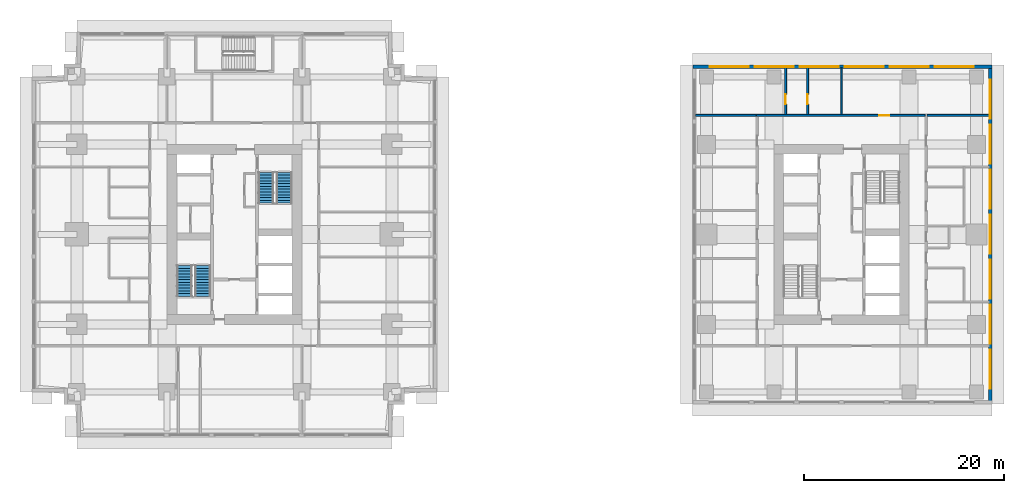
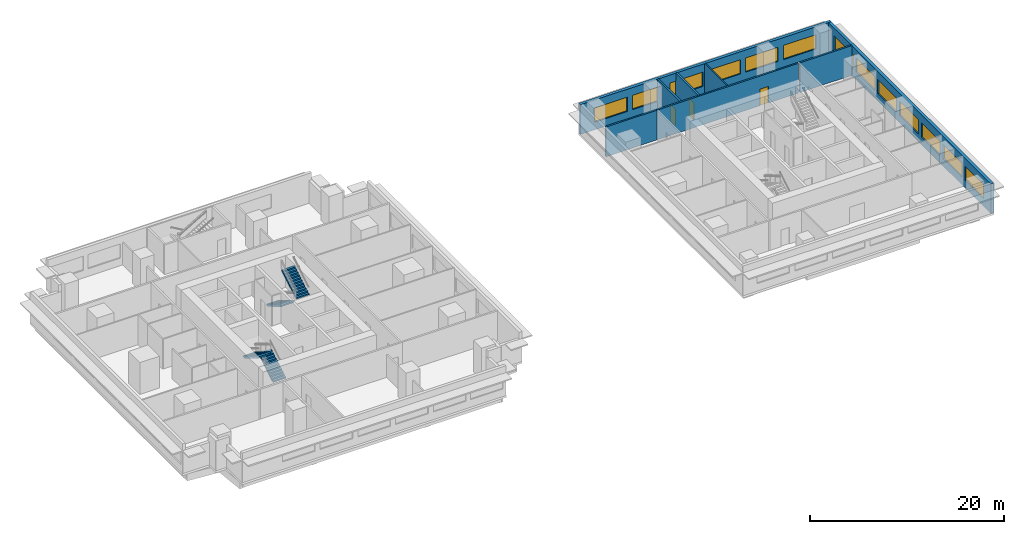
# One storey, part 8 of 11: 13 windows, 8 walls, 4 stair flights, 3 doors, 16 openings, 2 elements without a shape of their own.
"""IFC4 building model written with IfcOpenShell, lengths in metres."""

from ifc_helpers import new_model, si_unit, direction, frame, frame_2d, origin, place, context, subcontext, project, spatial, polyline, rectangle, outline, extrude, material, layer, layer_set, type_object, element, fill, aggregate, save


model = new_model("IFC4")

# Units and contexts
model_context = context("Model", 3, precision=1e-05, world=origin(), true_north=direction((0.0, 1.0)))
body_context = subcontext(model_context, "Body", "Model", "MODEL_VIEW")
ifc_project = project(units=[si_unit("LENGTHUNIT", "METRE"), si_unit("AREAUNIT", "SQUARE_METRE"), si_unit("VOLUMEUNIT", "CUBIC_METRE"), si_unit("PLANEANGLEUNIT", "RADIAN"), si_unit("MASSUNIT", "GRAM", prefix="KILO")], contexts=[model_context])

# Site, building, storey
site_placement = place(None, origin())
site = spatial("IfcSite", under=ifc_project, at=site_placement, CompositionType="ELEMENT")
building_placement = place(site_placement, origin())
building = spatial("IfcBuilding", under=site, at=building_placement, Name="Namib Vertical Campus", CompositionType="ELEMENT")
storey_placement = place(building_placement, frame((0.0, 0.0, 181.0)))
storey = spatial("IfcBuildingStorey", under=building, at=storey_placement, Name="L42", CompositionType="ELEMENT", Elevation=181.0)

# Wall, opening, door
ifc_material_1 = material(Name="Concrete masonry", Category="masonry")
ifc_layer_1 = layer(ifc_material_1, 0.199951171875)
ifc_layer_set_1 = layer_set([ifc_layer_1], Name="Corridor wall 200")
wall_type_1 = type_object("IfcWallType", Name="Corridor wall 200", PredefinedType="SOLIDWALL", material=ifc_layer_set_1)
wall_1_placement = place(storey_placement, frame((89.35009765625, 32.14990234375, 0.0), z_axis=(0.0, 0.0, 1.0), x_axis=(-1.0, 0.0, 0.0)))
wall_1 = element("IfcWall", 1, at=wall_1_placement, inside=storey, type_object=wall_type_1, Name="Corridor wall B L42 CN", PredefinedType="SOLIDWALL", context=body_context, shape_type="SweptSolid", body=[
    extrude(rectangle(XDim=16.900146484375, YDim=0.199951171875, at=frame_2d((8.4501953125, 0.0))), origin(), (0.0, 0.0, 1.0), 3.75),
])
opening_1_placement = place(wall_1_placement, frame((3.574951171875, 0.0, 0.0)))
opening_1 = element("IfcOpeningElement", 2, at=opening_1_placement, cuts=wall_1, Name="Opening CD1", PredefinedType="OPENING", context=body_context, shape_type="SweptSolid", body=[
    extrude(rectangle(XDim=1.0, YDim=2.10009765625, at=frame_2d((0.5, 1.050048828125))), frame((0.0, 0.10986328125, 0.0), z_axis=(0.0, -1.0, 0.0), x_axis=(1.0, 0.0, 0.0)), (0.0, 0.0, 1.0), 0.219970703125),
])
ifc_material_2 = material(Name="Timber fire door leaf", Category="wood")
door_type = type_object("IfcDoorType", Name="Corridor door 1000x2100 20 min", OperationType="SINGLE_SWING_LEFT", PredefinedType="DOOR", material=ifc_material_2)
door_1_placement = place(opening_1_placement, frame((1.0, 0.0, 0.0), z_axis=(0.0, 0.0, 1.0), x_axis=(-1.0, 0.0, 0.0)))
door_1 = element("IfcDoor", 3, at=door_1_placement, inside=storey, type_object=door_type, Name="Door CD1 B42-12", OperationType="SINGLE_SWING_LEFT", OverallHeight=2.10009765625, OverallWidth=1.0, PredefinedType="DOOR", context=body_context, shape_type="SweptSolid", body=[
    extrude(rectangle(XDim=1.0, YDim=2.10009765625, at=frame_2d((0.5, 1.050048828125))), frame((0.0, 0.02490234375, 0.0), z_axis=(0.0, -1.0, 0.0), x_axis=(1.0, 0.0, 0.0)), (0.0, 0.0, 1.0), 0.050048828125),
])
fill(opening_1, door_1)

wall_2_placement = place(storey_placement, frame((75.39990234375, 32.25, 0.0), z_axis=(0.0, 0.0, 1.0), x_axis=(0.0, 1.0, 0.0)))
wall_2 = element("IfcWall", 4, at=wall_2_placement, inside=storey, type_object=wall_type_1, Name="Corridor wall B L42 SPN1", PredefinedType="SOLIDWALL", context=body_context, shape_type="SweptSolid", body=[
    extrude(rectangle(XDim=4.64990234375, YDim=0.199951171875, at=frame_2d((2.324951171875, 0.0))), origin(), (0.0, 0.0, 1.0), 3.75),
])
opening_2_placement = place(wall_2_placement, frame((1.0, 0.0, 0.0)))
opening_2 = element("IfcOpeningElement", 5, at=opening_2_placement, cuts=wall_2, Name="Opening CD1", PredefinedType="OPENING", context=body_context, shape_type="SweptSolid", body=[
    extrude(rectangle(XDim=1.0, YDim=2.10009765625, at=frame_2d((0.5, 1.050048828125))), frame((0.0, 0.10986328125, 0.0), z_axis=(0.0, -1.0, 0.0), x_axis=(1.0, 0.0, 0.0)), (0.0, 0.0, 1.0), 0.219970703125),
])
door_2_placement = place(opening_2_placement, origin())
door_2 = element("IfcDoor", 6, at=door_2_placement, inside=storey, type_object=door_type, Name="Door CD1 B42-10", OperationType="SINGLE_SWING_LEFT", OverallHeight=2.10009765625, OverallWidth=1.0, PredefinedType="DOOR", context=body_context, shape_type="SweptSolid", body=[
    extrude(rectangle(XDim=1.0, YDim=2.10009765625, at=frame_2d((0.5, 1.050048828125))), frame((0.0, 0.02490234375, 0.0), z_axis=(0.0, -1.0, 0.0), x_axis=(1.0, 0.0, 0.0)), (0.0, 0.0, 1.0), 0.050048828125),
])
fill(opening_2, door_2)

wall_3_placement = place(storey_placement, frame((77.60009765625, 36.89990234375, 0.0), z_axis=(0.0, 0.0, 1.0), x_axis=(0.0, -1.0, 0.0)))
wall_3 = element("IfcWall", 7, at=wall_3_placement, inside=storey, type_object=wall_type_1, Name="Corridor wall B L42 SPN2", PredefinedType="SOLIDWALL", context=body_context, shape_type="SweptSolid", body=[
    extrude(rectangle(XDim=4.64990234375, YDim=0.199951171875, at=frame_2d((2.324951171875, 0.0))), origin(), (0.0, 0.0, 1.0), 3.75),
])
opening_3_placement = place(wall_3_placement, frame((2.64990234375, 0.0, 0.0)))
opening_3 = element("IfcOpeningElement", 8, at=opening_3_placement, cuts=wall_3, Name="Opening CD1", PredefinedType="OPENING", context=body_context, shape_type="SweptSolid", body=[
    extrude(rectangle(XDim=1.0, YDim=2.10009765625, at=frame_2d((0.5, 1.050048828125))), frame((0.0, 0.10986328125, 0.0), z_axis=(0.0, -1.0, 0.0), x_axis=(1.0, 0.0, 0.0)), (0.0, 0.0, 1.0), 0.219970703125),
])
door_3_placement = place(opening_3_placement, origin())
door_3 = element("IfcDoor", 9, at=door_3_placement, inside=storey, type_object=door_type, Name="Door CD1 B42-11", OperationType="SINGLE_SWING_RIGHT", OverallHeight=2.10009765625, OverallWidth=1.0, PredefinedType="DOOR", context=body_context, shape_type="SweptSolid", body=[
    extrude(rectangle(XDim=1.0, YDim=2.10009765625, at=frame_2d((0.5, 1.050048828125))), frame((0.0, 0.02490234375, 0.0), z_axis=(0.0, -1.0, 0.0), x_axis=(1.0, 0.0, 0.0)), (0.0, 0.0, 1.0), 0.050048828125),
])
fill(opening_3, door_3)

# Walls
wall_4_placement = place(storey_placement, frame((66.39990234375, 32.14990234375, 0.0), z_axis=(0.0, 0.0, 1.0), x_axis=(1.0, 0.0, 0.0)))
element("IfcWall", 10, at=wall_4_placement, inside=storey, type_object=wall_type_1, Name="Partition B L42 BNW", PredefinedType="SOLIDWALL", context=body_context, shape_type="SweptSolid", body=[
    extrude(rectangle(XDim=6.050048828125, YDim=0.199951171875, at=frame_2d((3.02490234375, 0.0))), origin(), (0.0, 0.0, 1.0), 3.75),
])
wall_5_placement = place(storey_placement, frame((89.550048828125, 32.14990234375, 0.0), z_axis=(0.0, 0.0, 1.0), x_axis=(1.0, 0.0, 0.0)))
element("IfcWall", 11, at=wall_5_placement, inside=storey, type_object=wall_type_1, Name="Partition B L42 BNE", PredefinedType="SOLIDWALL", context=body_context, shape_type="SweptSolid", body=[
    extrude(rectangle(XDim=6.199951171875, YDim=0.199951171875, at=frame_2d((3.10009765625, 0.0))), origin(), (0.0, 0.0, 1.0), 3.75),
])

# Wall, openings, windows
ifc_material_3 = material(Name="Concrete C40/50", Category="concrete")
ifc_layer_2 = layer(ifc_material_3, 0.35009765625)
ifc_layer_set_2 = layer_set([ifc_layer_2], Name="Concrete C40/50")
wall_type_2 = type_object("IfcWallType", Name="External wall 350 bush-hammered concrete", PredefinedType="STANDARD", material=ifc_layer_set_2)
wall_6_placement = place(storey_placement, frame((95.875, 3.320068359375, 0.0), z_axis=(0.0, 0.0, 1.0), x_axis=(0.0, 1.0, 0.0)))
wall_6 = element("IfcWall", 12, at=wall_6_placement, inside=storey, type_object=wall_type_2, Name="External wall L42 F02", PredefinedType="STANDARD", context=body_context, shape_type="SweptSolid", body=[
    extrude(rectangle(XDim=33.85986328125, YDim=0.35009765625, at=frame_2d((16.929931640625, 0.0))), origin(), (0.0, 0.0, 1.0), 3.75),
])
opening_4_placement = place(wall_6_placement, frame((1.47998046875, 0.0, 0.949951171875)))
opening_4 = element("IfcOpeningElement", 13, at=opening_4_placement, cuts=wall_6, Name="Opening W3", PredefinedType="OPENING", context=body_context, shape_type="SweptSolid", body=[
    extrude(rectangle(XDim=3.89990234375, YDim=1.800048828125, at=frame_2d((1.949951171875, 0.89990234375))), frame((0.0, 0.18505859375, 0.0), z_axis=(0.0, -1.0, 0.0), x_axis=(1.0, 0.0, 0.0)), (0.0, 0.0, 1.0), 0.3701171875),
])
opening_5_placement = place(wall_6_placement, frame((5.97998046875, 0.0, 0.949951171875)))
opening_5 = element("IfcOpeningElement", 14, at=opening_5_placement, cuts=wall_6, Name="Opening W3", PredefinedType="OPENING", context=body_context, shape_type="SweptSolid", body=[
    extrude(rectangle(XDim=3.89990234375, YDim=1.800048828125, at=frame_2d((1.949951171875, 0.89990234375))), frame((0.0, 0.18505859375, 0.0), z_axis=(0.0, -1.0, 0.0), x_axis=(1.0, 0.0, 0.0)), (0.0, 0.0, 1.0), 0.3701171875),
])
opening_6_placement = place(wall_6_placement, frame((10.47998046875, 0.0, 0.949951171875)))
opening_6 = element("IfcOpeningElement", 15, at=opening_6_placement, cuts=wall_6, Name="Opening W3", PredefinedType="OPENING", context=body_context, shape_type="SweptSolid", body=[
    extrude(rectangle(XDim=3.89990234375, YDim=1.800048828125, at=frame_2d((1.949951171875, 0.89990234375))), frame((0.0, 0.18505859375, 0.0), z_axis=(0.0, -1.0, 0.0), x_axis=(1.0, 0.0, 0.0)), (0.0, 0.0, 1.0), 0.3701171875),
])
opening_7_placement = place(wall_6_placement, frame((14.97998046875, 0.0, 0.949951171875)))
opening_7 = element("IfcOpeningElement", 16, at=opening_7_placement, cuts=wall_6, Name="Opening W3", PredefinedType="OPENING", context=body_context, shape_type="SweptSolid", body=[
    extrude(rectangle(XDim=3.89990234375, YDim=1.800048828125, at=frame_2d((1.949951171875, 0.89990234375))), frame((0.0, 0.18505859375, 0.0), z_axis=(0.0, -1.0, 0.0), x_axis=(1.0, 0.0, 0.0)), (0.0, 0.0, 1.0), 0.3701171875),
])
opening_8_placement = place(wall_6_placement, frame((19.47998046875, 0.0, 0.949951171875)))
opening_8 = element("IfcOpeningElement", 17, at=opening_8_placement, cuts=wall_6, Name="Opening W3", PredefinedType="OPENING", context=body_context, shape_type="SweptSolid", body=[
    extrude(rectangle(XDim=3.89990234375, YDim=1.800048828125, at=frame_2d((1.949951171875, 0.89990234375))), frame((0.0, 0.18505859375, 0.0), z_axis=(0.0, -1.0, 0.0), x_axis=(1.0, 0.0, 0.0)), (0.0, 0.0, 1.0), 0.3701171875),
])
opening_9_placement = place(wall_6_placement, frame((23.97998046875, 0.0, 0.949951171875)))
opening_9 = element("IfcOpeningElement", 18, at=opening_9_placement, cuts=wall_6, Name="Opening W3", PredefinedType="OPENING", context=body_context, shape_type="SweptSolid", body=[
    extrude(rectangle(XDim=3.89990234375, YDim=1.800048828125, at=frame_2d((1.949951171875, 0.89990234375))), frame((0.0, 0.18505859375, 0.0), z_axis=(0.0, -1.0, 0.0), x_axis=(1.0, 0.0, 0.0)), (0.0, 0.0, 1.0), 0.3701171875),
])
opening_10_placement = place(wall_6_placement, frame((28.47998046875, 0.0, 0.949951171875)))
opening_10 = element("IfcOpeningElement", 19, at=opening_10_placement, cuts=wall_6, Name="Opening W3", PredefinedType="OPENING", context=body_context, shape_type="SweptSolid", body=[
    extrude(rectangle(XDim=3.89990234375, YDim=1.800048828125, at=frame_2d((1.949951171875, 0.89990234375))), frame((0.0, 0.18505859375, 0.0), z_axis=(0.0, -1.0, 0.0), x_axis=(1.0, 0.0, 0.0)), (0.0, 0.0, 1.0), 0.3701171875),
])
ifc_material_4 = material(Name="Dark tinted glass in black aluminium frame", Category="aluminium")
window_type = type_object("IfcWindowType", Name="Ribbon window 3900x1800", PartitioningType="SINGLE_PANEL", PredefinedType="WINDOW", material=ifc_material_4)
window_1_placement = place(opening_4_placement, origin())
window_1 = element("IfcWindow", 20, at=window_1_placement, inside=storey, type_object=window_type, Name="Window W3 L42 F02-1", OverallHeight=1.800048828125, OverallWidth=3.89990234375, PartitioningType="SINGLE_PANEL", PredefinedType="WINDOW", context=body_context, shape_type="SweptSolid", body=[
    extrude(rectangle(XDim=3.89990234375, YDim=1.800048828125, at=frame_2d((1.949951171875, 0.89990234375))), frame((0.0, 0.030029296875, 0.0), z_axis=(0.0, -1.0, 0.0), x_axis=(1.0, 0.0, 0.0)), (0.0, 0.0, 1.0), 0.06005859375),
])
fill(opening_4, window_1)
window_2_placement = place(opening_5_placement, origin())
window_2 = element("IfcWindow", 21, at=window_2_placement, inside=storey, type_object=window_type, Name="Window W3 L42 F02-2", OverallHeight=1.800048828125, OverallWidth=3.89990234375, PartitioningType="SINGLE_PANEL", PredefinedType="WINDOW", context=body_context, shape_type="SweptSolid", body=[
    extrude(rectangle(XDim=3.89990234375, YDim=1.800048828125, at=frame_2d((1.949951171875, 0.89990234375))), frame((0.0, 0.030029296875, 0.0), z_axis=(0.0, -1.0, 0.0), x_axis=(1.0, 0.0, 0.0)), (0.0, 0.0, 1.0), 0.06005859375),
])
fill(opening_5, window_2)
window_3_placement = place(opening_6_placement, origin())
window_3 = element("IfcWindow", 22, at=window_3_placement, inside=storey, type_object=window_type, Name="Window W3 L42 F02-3", OverallHeight=1.800048828125, OverallWidth=3.89990234375, PartitioningType="SINGLE_PANEL", PredefinedType="WINDOW", context=body_context, shape_type="SweptSolid", body=[
    extrude(rectangle(XDim=3.89990234375, YDim=1.800048828125, at=frame_2d((1.949951171875, 0.89990234375))), frame((0.0, 0.030029296875, 0.0), z_axis=(0.0, -1.0, 0.0), x_axis=(1.0, 0.0, 0.0)), (0.0, 0.0, 1.0), 0.06005859375),
])
fill(opening_6, window_3)
window_4_placement = place(opening_7_placement, origin())
window_4 = element("IfcWindow", 23, at=window_4_placement, inside=storey, type_object=window_type, Name="Window W3 L42 F02-4", OverallHeight=1.800048828125, OverallWidth=3.89990234375, PartitioningType="SINGLE_PANEL", PredefinedType="WINDOW", context=body_context, shape_type="SweptSolid", body=[
    extrude(rectangle(XDim=3.89990234375, YDim=1.800048828125, at=frame_2d((1.949951171875, 0.89990234375))), frame((0.0, 0.030029296875, 0.0), z_axis=(0.0, -1.0, 0.0), x_axis=(1.0, 0.0, 0.0)), (0.0, 0.0, 1.0), 0.06005859375),
])
fill(opening_7, window_4)
window_5_placement = place(opening_8_placement, origin())
window_5 = element("IfcWindow", 24, at=window_5_placement, inside=storey, type_object=window_type, Name="Window W3 L42 F02-5", OverallHeight=1.800048828125, OverallWidth=3.89990234375, PartitioningType="SINGLE_PANEL", PredefinedType="WINDOW", context=body_context, shape_type="SweptSolid", body=[
    extrude(rectangle(XDim=3.89990234375, YDim=1.800048828125, at=frame_2d((1.949951171875, 0.89990234375))), frame((0.0, 0.030029296875, 0.0), z_axis=(0.0, -1.0, 0.0), x_axis=(1.0, 0.0, 0.0)), (0.0, 0.0, 1.0), 0.06005859375),
])
fill(opening_8, window_5)
window_6_placement = place(opening_9_placement, origin())
window_6 = element("IfcWindow", 25, at=window_6_placement, inside=storey, type_object=window_type, Name="Window W3 L42 F02-6", OverallHeight=1.800048828125, OverallWidth=3.89990234375, PartitioningType="SINGLE_PANEL", PredefinedType="WINDOW", context=body_context, shape_type="SweptSolid", body=[
    extrude(rectangle(XDim=3.89990234375, YDim=1.800048828125, at=frame_2d((1.949951171875, 0.89990234375))), frame((0.0, 0.030029296875, 0.0), z_axis=(0.0, -1.0, 0.0), x_axis=(1.0, 0.0, 0.0)), (0.0, 0.0, 1.0), 0.06005859375),
])
fill(opening_9, window_6)
window_7_placement = place(opening_10_placement, origin())
window_7 = element("IfcWindow", 26, at=window_7_placement, inside=storey, type_object=window_type, Name="Window W3 L42 F02-7", OverallHeight=1.800048828125, OverallWidth=3.89990234375, PartitioningType="SINGLE_PANEL", PredefinedType="WINDOW", context=body_context, shape_type="SweptSolid", body=[
    extrude(rectangle(XDim=3.89990234375, YDim=1.800048828125, at=frame_2d((1.949951171875, 0.89990234375))), frame((0.0, 0.030029296875, 0.0), z_axis=(0.0, -1.0, 0.0), x_axis=(1.0, 0.0, 0.0)), (0.0, 0.0, 1.0), 0.06005859375),
])
fill(opening_10, window_7)

wall_7_placement = place(storey_placement, frame((96.030029296875, 37.02490234375, 0.0), z_axis=(0.0, 0.0, 1.0), x_axis=(-1.0, 0.0, 0.0)))
wall_7 = element("IfcWall", 27, at=wall_7_placement, inside=storey, type_object=wall_type_2, Name="External wall L42 F03", PredefinedType="STANDARD", context=body_context, shape_type="SweptSolid", body=[
    extrude(rectangle(XDim=29.909912109375, YDim=0.35009765625, at=frame_2d((14.955078125, 0.0))), origin(), (0.0, 0.0, 1.0), 3.75),
])
opening_11_placement = place(wall_7_placement, frame((24.330078125, 0.0, 0.949951171875)))
opening_11 = element("IfcOpeningElement", 28, at=opening_11_placement, cuts=wall_7, Name="Opening W3", PredefinedType="OPENING", context=body_context, shape_type="SweptSolid", body=[
    extrude(rectangle(XDim=3.89990234375, YDim=1.800048828125, at=frame_2d((1.949951171875, 0.89990234375))), frame((0.0, 0.18505859375, 0.0), z_axis=(0.0, -1.0, 0.0), x_axis=(1.0, 0.0, 0.0)), (0.0, 0.0, 1.0), 0.3701171875),
])
opening_12_placement = place(wall_7_placement, frame((19.830078125, 0.0, 0.949951171875)))
opening_12 = element("IfcOpeningElement", 29, at=opening_12_placement, cuts=wall_7, Name="Opening W3", PredefinedType="OPENING", context=body_context, shape_type="SweptSolid", body=[
    extrude(rectangle(XDim=3.89990234375, YDim=1.800048828125, at=frame_2d((1.949951171875, 0.89990234375))), frame((0.0, 0.18505859375, 0.0), z_axis=(0.0, -1.0, 0.0), x_axis=(1.0, 0.0, 0.0)), (0.0, 0.0, 1.0), 0.3701171875),
])
opening_13_placement = place(wall_7_placement, frame((15.330078125, 0.0, 0.949951171875)))
opening_13 = element("IfcOpeningElement", 30, at=opening_13_placement, cuts=wall_7, Name="Opening W3", PredefinedType="OPENING", context=body_context, shape_type="SweptSolid", body=[
    extrude(rectangle(XDim=3.89990234375, YDim=1.800048828125, at=frame_2d((1.949951171875, 0.89990234375))), frame((0.0, 0.18505859375, 0.0), z_axis=(0.0, -1.0, 0.0), x_axis=(1.0, 0.0, 0.0)), (0.0, 0.0, 1.0), 0.3701171875),
])
opening_14_placement = place(wall_7_placement, frame((10.830078125, 0.0, 0.949951171875)))
opening_14 = element("IfcOpeningElement", 31, at=opening_14_placement, cuts=wall_7, Name="Opening W3", PredefinedType="OPENING", context=body_context, shape_type="SweptSolid", body=[
    extrude(rectangle(XDim=3.89990234375, YDim=1.800048828125, at=frame_2d((1.949951171875, 0.89990234375))), frame((0.0, 0.18505859375, 0.0), z_axis=(0.0, -1.0, 0.0), x_axis=(1.0, 0.0, 0.0)), (0.0, 0.0, 1.0), 0.3701171875),
])
opening_15_placement = place(wall_7_placement, frame((6.330078125, 0.0, 0.949951171875)))
opening_15 = element("IfcOpeningElement", 32, at=opening_15_placement, cuts=wall_7, Name="Opening W3", PredefinedType="OPENING", context=body_context, shape_type="SweptSolid", body=[
    extrude(rectangle(XDim=3.89990234375, YDim=1.800048828125, at=frame_2d((1.949951171875, 0.89990234375))), frame((0.0, 0.18505859375, 0.0), z_axis=(0.0, -1.0, 0.0), x_axis=(1.0, 0.0, 0.0)), (0.0, 0.0, 1.0), 0.3701171875),
])
opening_16_placement = place(wall_7_placement, frame((1.830078125, 0.0, 0.949951171875)))
opening_16 = element("IfcOpeningElement", 33, at=opening_16_placement, cuts=wall_7, Name="Opening W3", PredefinedType="OPENING", context=body_context, shape_type="SweptSolid", body=[
    extrude(rectangle(XDim=3.89990234375, YDim=1.800048828125, at=frame_2d((1.949951171875, 0.89990234375))), frame((0.0, 0.18505859375, 0.0), z_axis=(0.0, -1.0, 0.0), x_axis=(1.0, 0.0, 0.0)), (0.0, 0.0, 1.0), 0.3701171875),
])
window_8_placement = place(opening_11_placement, origin())
window_8 = element("IfcWindow", 34, at=window_8_placement, inside=storey, type_object=window_type, Name="Window W3 L42 F03-1", OverallHeight=1.800048828125, OverallWidth=3.89990234375, PartitioningType="SINGLE_PANEL", PredefinedType="WINDOW", context=body_context, shape_type="SweptSolid", body=[
    extrude(rectangle(XDim=3.89990234375, YDim=1.800048828125, at=frame_2d((1.949951171875, 0.89990234375))), frame((0.0, 0.030029296875, 0.0), z_axis=(0.0, -1.0, 0.0), x_axis=(1.0, 0.0, 0.0)), (0.0, 0.0, 1.0), 0.06005859375),
])
fill(opening_11, window_8)
window_9_placement = place(opening_12_placement, origin())
window_9 = element("IfcWindow", 35, at=window_9_placement, inside=storey, type_object=window_type, Name="Window W3 L42 F03-2", OverallHeight=1.800048828125, OverallWidth=3.89990234375, PartitioningType="SINGLE_PANEL", PredefinedType="WINDOW", context=body_context, shape_type="SweptSolid", body=[
    extrude(rectangle(XDim=3.89990234375, YDim=1.800048828125, at=frame_2d((1.949951171875, 0.89990234375))), frame((0.0, 0.030029296875, 0.0), z_axis=(0.0, -1.0, 0.0), x_axis=(1.0, 0.0, 0.0)), (0.0, 0.0, 1.0), 0.06005859375),
])
fill(opening_12, window_9)
window_10_placement = place(opening_13_placement, origin())
window_10 = element("IfcWindow", 36, at=window_10_placement, inside=storey, type_object=window_type, Name="Window W3 L42 F03-3", OverallHeight=1.800048828125, OverallWidth=3.89990234375, PartitioningType="SINGLE_PANEL", PredefinedType="WINDOW", context=body_context, shape_type="SweptSolid", body=[
    extrude(rectangle(XDim=3.89990234375, YDim=1.800048828125, at=frame_2d((1.949951171875, 0.89990234375))), frame((0.0, 0.030029296875, 0.0), z_axis=(0.0, -1.0, 0.0), x_axis=(1.0, 0.0, 0.0)), (0.0, 0.0, 1.0), 0.06005859375),
])
fill(opening_13, window_10)
window_11_placement = place(opening_14_placement, origin())
window_11 = element("IfcWindow", 37, at=window_11_placement, inside=storey, type_object=window_type, Name="Window W3 L42 F03-4", OverallHeight=1.800048828125, OverallWidth=3.89990234375, PartitioningType="SINGLE_PANEL", PredefinedType="WINDOW", context=body_context, shape_type="SweptSolid", body=[
    extrude(rectangle(XDim=3.89990234375, YDim=1.800048828125, at=frame_2d((1.949951171875, 0.89990234375))), frame((0.0, 0.030029296875, 0.0), z_axis=(0.0, -1.0, 0.0), x_axis=(1.0, 0.0, 0.0)), (0.0, 0.0, 1.0), 0.06005859375),
])
fill(opening_14, window_11)
window_12_placement = place(opening_15_placement, origin())
window_12 = element("IfcWindow", 38, at=window_12_placement, inside=storey, type_object=window_type, Name="Window W3 L42 F03-5", OverallHeight=1.800048828125, OverallWidth=3.89990234375, PartitioningType="SINGLE_PANEL", PredefinedType="WINDOW", context=body_context, shape_type="SweptSolid", body=[
    extrude(rectangle(XDim=3.89990234375, YDim=1.800048828125, at=frame_2d((1.949951171875, 0.89990234375))), frame((0.0, 0.030029296875, 0.0), z_axis=(0.0, -1.0, 0.0), x_axis=(1.0, 0.0, 0.0)), (0.0, 0.0, 1.0), 0.06005859375),
])
fill(opening_15, window_12)
window_13_placement = place(opening_16_placement, origin())
window_13 = element("IfcWindow", 39, at=window_13_placement, inside=storey, type_object=window_type, Name="Window W3 L42 F03-6", OverallHeight=1.800048828125, OverallWidth=3.89990234375, PartitioningType="SINGLE_PANEL", PredefinedType="WINDOW", context=body_context, shape_type="SweptSolid", body=[
    extrude(rectangle(XDim=3.89990234375, YDim=1.800048828125, at=frame_2d((1.949951171875, 0.89990234375))), frame((0.0, 0.030029296875, 0.0), z_axis=(0.0, -1.0, 0.0), x_axis=(1.0, 0.0, 0.0)), (0.0, 0.0, 1.0), 0.06005859375),
])
fill(opening_16, window_13)

# Wall
ifc_material_5 = material(Name="Gypsum board on steel studs", Category="steel")
ifc_layer_3 = layer(ifc_material_5, 0.14990234375)
ifc_layer_set_3 = layer_set([ifc_layer_3], Name="Gypsum board on steel studs")
wall_type_3 = type_object("IfcWallType", Name="Partition 150", PredefinedType="PARTITIONING", material=ifc_layer_set_3)
wall_8_placement = place(storey_placement, frame((81.0, 32.25, 0.0), z_axis=(0.0, 0.0, 1.0), x_axis=(0.0, 1.0, 0.0)))
element("IfcWall", 40, at=wall_8_placement, inside=storey, type_object=wall_type_3, Name="Partition B L42 PN3", PredefinedType="PARTITIONING", context=body_context, shape_type="SweptSolid", body=[
    extrude(rectangle(XDim=4.64990234375, YDim=0.14990234375, at=frame_2d((2.324951171875, 0.0))), origin(), (0.0, 0.0, 1.0), 3.75),
])

# Stair, stair flights
ifc_material_6 = material(Name="Concrete C40/50 precast", Category="concrete")
stair_type = type_object("IfcStairType", Name="Exit stair 4000 rise 24 risers 3350 wide", PredefinedType="HALF_TURN_STAIR", material=ifc_material_6)
stair_1_placement = place(storey_placement, origin())
stair_1 = element("IfcStair", 41, at=stair_1_placement, inside=storey, type_object=stair_type, Name="Exit stair A-S1 L42", PredefinedType="HALF_TURN_STAIR")
ifc_material_7 = material(Name="Concrete C40/50 precast", Category="concrete")
stair_flight_type = type_object("IfcStairFlightType", Name="Stair flight 12 risers 167 1525 wide", PredefinedType="STRAIGHT", material=ifc_material_7)
stair_flight_1_placement = place(storey_placement, frame((17.08740234375, 14.050048828125, 0.0), z_axis=(0.0, 0.0, 1.0), x_axis=(0.0, 1.0, 0.0)))
stair_flight_1 = element("IfcStairFlight", 42, at=stair_flight_1_placement, type_object=stair_flight_type, Name="A-S1 flight 1", NumberOfRisers=12, NumberOfTreads=11, PredefinedType="STRAIGHT", RiserHeight=0.166666667, TreadLength=0.28, context=body_context, shape_type="SweptSolid", body=[
    extrude(outline(polyline([(0.0, 0.0), (0.0, 0.166748046875), (0.280029296875, 0.166748046875), (0.280029296875, 0.333251953125), (0.56005859375, 0.333251953125), (0.56005859375, 0.5), (0.840087890625, 0.5), (0.840087890625, 0.666748046875), (1.1201171875, 0.666748046875), (1.1201171875, 0.833251953125), (1.39990234375, 0.833251953125), (1.39990234375, 1.0), (1.679931640625, 1.0), (1.679931640625, 1.166748046875), (1.9599609375, 1.166748046875), (1.9599609375, 1.333251953125), (2.239990234375, 1.333251953125), (2.239990234375, 1.5), (2.52001953125, 1.5), (2.52001953125, 1.666748046875), (2.800048828125, 1.666748046875), (2.800048828125, 1.833251953125), (3.080078125, 1.833251953125), (3.080078125, 2.0), (3.080078125, 1.658935546875), (0.29296875, 0.0), (0.0, 0.0)])), frame((0.0, 0.762451171875, 0.0), z_axis=(0.0, -1.0, 0.0), x_axis=(1.0, 0.0, 0.0)), (0.0, 0.0, 1.0), 1.52490234375),
])
stair_flight_2_placement = place(storey_placement, frame((15.262451171875, 17.1298828125, 2.0), z_axis=(0.0, 0.0, 1.0), x_axis=(0.0, -1.0, 0.0)))
stair_flight_2 = element("IfcStairFlight", 43, at=stair_flight_2_placement, type_object=stair_flight_type, Name="A-S1 flight 2", NumberOfRisers=12, NumberOfTreads=11, PredefinedType="STRAIGHT", RiserHeight=0.166666667, TreadLength=0.28, context=body_context, shape_type="SweptSolid", body=[
    extrude(outline(polyline([(0.0, 0.0), (0.0, 0.166748046875), (0.280029296875, 0.166748046875), (0.280029296875, 0.333251953125), (0.56005859375, 0.333251953125), (0.56005859375, 0.5), (0.840087890625, 0.5), (0.840087890625, 0.666748046875), (1.1201171875, 0.666748046875), (1.1201171875, 0.833251953125), (1.39990234375, 0.833251953125), (1.39990234375, 1.0), (1.679931640625, 1.0), (1.679931640625, 1.166748046875), (1.9599609375, 1.166748046875), (1.9599609375, 1.333251953125), (2.239990234375, 1.333251953125), (2.239990234375, 1.5), (2.52001953125, 1.5), (2.52001953125, 1.666748046875), (2.800048828125, 1.666748046875), (2.800048828125, 1.833251953125), (3.080078125, 1.833251953125), (3.080078125, 2.0), (3.080078125, 1.658935546875), (0.29296875, 0.0), (0.0, 0.0)])), frame((0.0, 0.762451171875, 0.0), z_axis=(0.0, -1.0, 0.0), x_axis=(1.0, 0.0, 0.0)), (0.0, 0.0, 1.0), 1.52490234375),
])
aggregate(stair_1, [stair_flight_1, stair_flight_2])

stair_2_placement = place(storey_placement, origin())
stair_2 = element("IfcStair", 44, at=stair_2_placement, inside=storey, type_object=stair_type, Name="Exit stair A-S2 L42", PredefinedType="HALF_TURN_STAIR")
stair_flight_3_placement = place(storey_placement, frame((23.41259765625, 26.449951171875, 0.0), z_axis=(0.0, 0.0, 1.0), x_axis=(0.0, -1.0, 0.0)))
stair_flight_3 = element("IfcStairFlight", 45, at=stair_flight_3_placement, type_object=stair_flight_type, Name="A-S2 flight 1", NumberOfRisers=12, NumberOfTreads=11, PredefinedType="STRAIGHT", RiserHeight=0.166666667, TreadLength=0.28, context=body_context, shape_type="SweptSolid", body=[
    extrude(outline(polyline([(0.0, 0.0), (0.0, 0.166748046875), (0.280029296875, 0.166748046875), (0.280029296875, 0.333251953125), (0.56005859375, 0.333251953125), (0.56005859375, 0.5), (0.840087890625, 0.5), (0.840087890625, 0.666748046875), (1.1201171875, 0.666748046875), (1.1201171875, 0.833251953125), (1.39990234375, 0.833251953125), (1.39990234375, 1.0), (1.679931640625, 1.0), (1.679931640625, 1.166748046875), (1.9599609375, 1.166748046875), (1.9599609375, 1.333251953125), (2.239990234375, 1.333251953125), (2.239990234375, 1.5), (2.52001953125, 1.5), (2.52001953125, 1.666748046875), (2.800048828125, 1.666748046875), (2.800048828125, 1.833251953125), (3.080078125, 1.833251953125), (3.080078125, 2.0), (3.080078125, 1.658935546875), (0.29296875, 0.0), (0.0, 0.0)])), frame((0.0, 0.762451171875, 0.0), z_axis=(0.0, -1.0, 0.0), x_axis=(1.0, 0.0, 0.0)), (0.0, 0.0, 1.0), 1.52490234375),
])
stair_flight_4_placement = place(storey_placement, frame((25.237548828125, 23.3701171875, 2.0), z_axis=(0.0, 0.0, 1.0), x_axis=(0.0, 1.0, 0.0)))
stair_flight_4 = element("IfcStairFlight", 46, at=stair_flight_4_placement, type_object=stair_flight_type, Name="A-S2 flight 2", NumberOfRisers=12, NumberOfTreads=11, PredefinedType="STRAIGHT", RiserHeight=0.166666667, TreadLength=0.28, context=body_context, shape_type="SweptSolid", body=[
    extrude(outline(polyline([(0.0, 0.0), (0.0, 0.166748046875), (0.280029296875, 0.166748046875), (0.280029296875, 0.333251953125), (0.56005859375, 0.333251953125), (0.56005859375, 0.5), (0.840087890625, 0.5), (0.840087890625, 0.666748046875), (1.1201171875, 0.666748046875), (1.1201171875, 0.833251953125), (1.39990234375, 0.833251953125), (1.39990234375, 1.0), (1.679931640625, 1.0), (1.679931640625, 1.166748046875), (1.9599609375, 1.166748046875), (1.9599609375, 1.333251953125), (2.239990234375, 1.333251953125), (2.239990234375, 1.5), (2.52001953125, 1.5), (2.52001953125, 1.666748046875), (2.800048828125, 1.666748046875), (2.800048828125, 1.833251953125), (3.080078125, 1.833251953125), (3.080078125, 2.0), (3.080078125, 1.658935546875), (0.29296875, 0.0), (0.0, 0.0)])), frame((0.0, 0.762451171875, 0.0), z_axis=(0.0, -1.0, 0.0), x_axis=(1.0, 0.0, 0.0)), (0.0, 0.0, 1.0), 1.52490234375),
])
aggregate(stair_2, [stair_flight_3, stair_flight_4])

save(model, "model.ifc")
